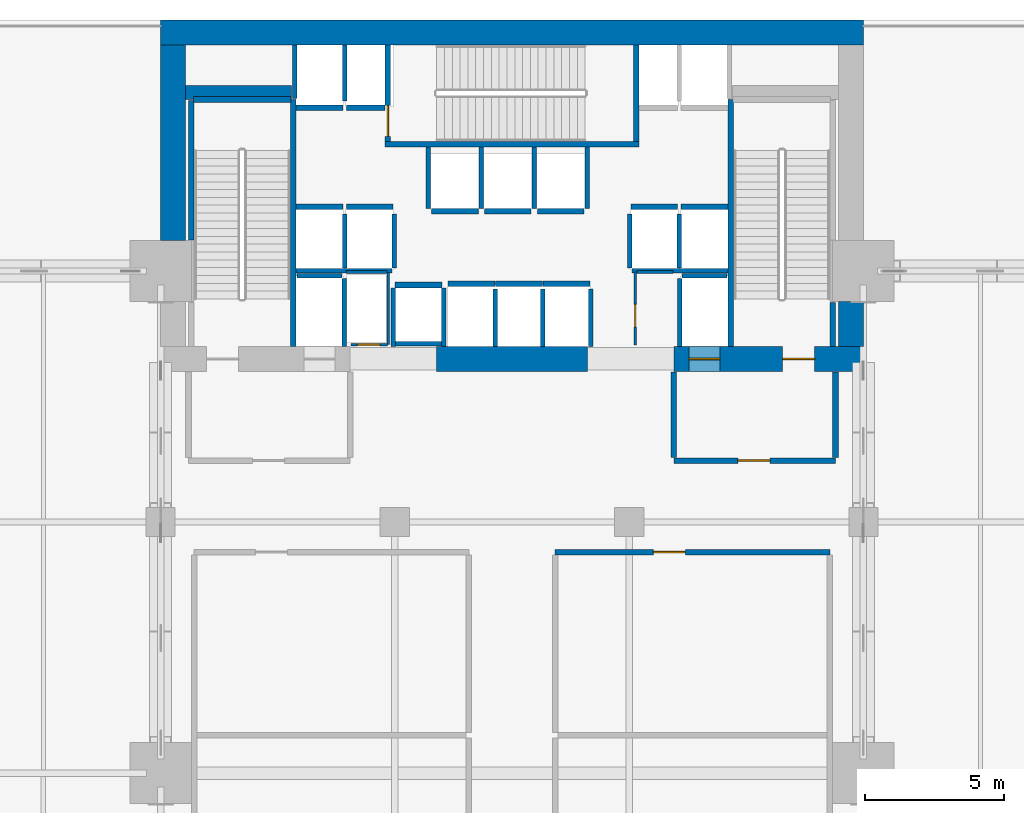
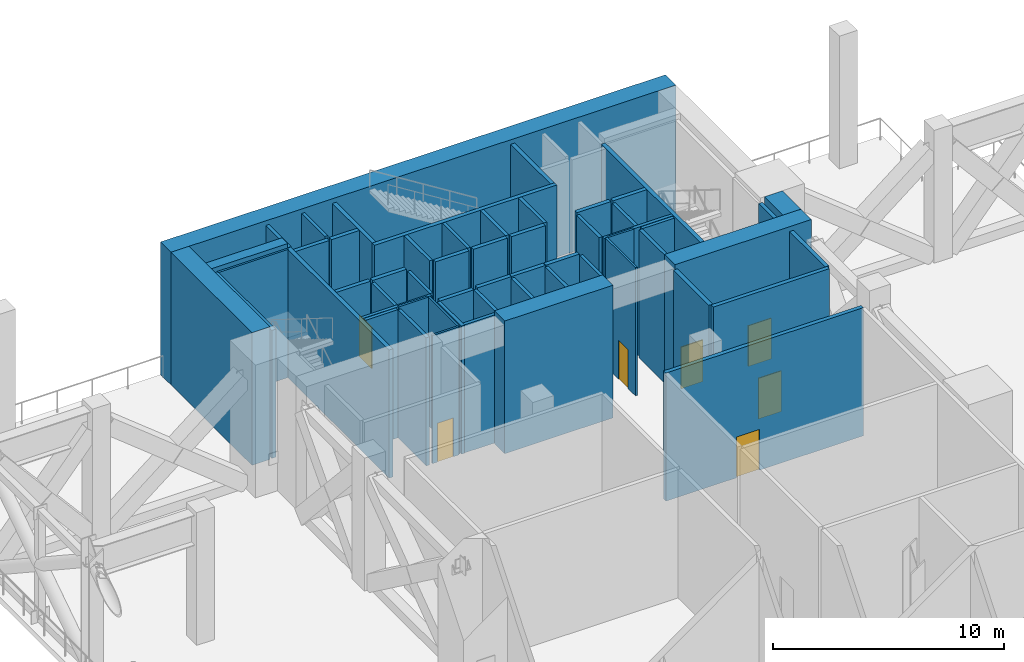
# One storey, part 12 of 16: 58 walls, 7 doors, 7 openings.
"""IFC4 building model written with IfcOpenShell, lengths in metres."""

from ifc_helpers import new_model, si_unit, direction, frame, frame_2d, origin, place, context, subcontext, project, spatial, rectangle, extrude, material, layer, layer_set, type_object, element, fill, save


model = new_model("IFC4")

# Units and contexts
model_context = context("Model", 3, precision=1e-05, world=origin(), true_north=direction((0.0, 1.0)))
body_context = subcontext(model_context, "Body", "Model", "MODEL_VIEW")
ifc_project = project(units=[si_unit("LENGTHUNIT", "METRE"), si_unit("AREAUNIT", "SQUARE_METRE"), si_unit("VOLUMEUNIT", "CUBIC_METRE"), si_unit("PLANEANGLEUNIT", "RADIAN"), si_unit("MASSUNIT", "GRAM", prefix="KILO")], contexts=[model_context])

# Site, building, storey
site_placement = place(None, origin())
site = spatial("IfcSite", under=ifc_project, at=site_placement, CompositionType="ELEMENT")
building_placement = place(site_placement, origin())
building = spatial("IfcBuilding", under=site, at=building_placement, Name="Maruvema Waterfront Hotel and Observation Tower", CompositionType="ELEMENT")
storey_placement = place(building_placement, frame((0.0, 0.0, 115.5)))
storey = spatial("IfcBuildingStorey", under=building, at=storey_placement, Name="L28", CompositionType="ELEMENT", Elevation=115.5)

# Walls
ifc_material_1 = material(Name="Precast concrete C45/55", Category="concrete")
ifc_layer_1 = layer(ifc_material_1, 0.199951171875, Name="Core Shaft and Stairwell Enclosure Wall 200 mm")
ifc_layer_set_1 = layer_set([ifc_layer_1], Name="Precast concrete C45/55")
wall_type_1 = type_object("IfcWallType", Name="Core Shaft and Stairwell Enclosure Wall 200 mm", PredefinedType="SOLIDWALL", material=ifc_layer_set_1)
wall_1_placement = place(storey_placement, frame((29.949951171875, 42.300048828125, 0.0), z_axis=(0.0, 0.0, 1.0), x_axis=(0.0, 1.0, 0.0)))
element("IfcWall", 1, at=wall_1_placement, inside=storey, type_object=wall_type_1, Name="L28 Stairwell ST-01 East Shaft Wall", PredefinedType="SOLIDWALL", context=body_context, shape_type="SweptSolid", body=[
    extrude(rectangle(XDim=8.849853515625, YDim=0.199951171875, at=frame_2d((4.4248046875, 0.0))), origin(), (0.0, 0.0, 1.0), 6.760009765625),
])
wall_2_placement = place(storey_placement, frame((26.300048828125, 46.1201171875, 0.0), z_axis=(0.0, 0.0, 1.0), x_axis=(0.0, 1.0, 0.0)))
element("IfcWall", 2, at=wall_2_placement, inside=storey, type_object=wall_type_1, Name="L28 Stairwell ST-01 Shaft Lining Wall", PredefinedType="SOLIDWALL", context=body_context, shape_type="SweptSolid", body=[
    extrude(rectangle(XDim=5.0, YDim=0.199951171875, at=frame_2d((2.5, 0.0))), origin(), (0.0, 0.0, 1.0), 6.760009765625),
])
wall_3_placement = place(storey_placement, frame((26.3798828125, 51.14990234375, 0.0), z_axis=(0.0, 0.0, 1.0), x_axis=(1.0, 0.0, 0.0)))
element("IfcWall", 3, at=wall_3_placement, inside=storey, type_object=wall_type_1, Name="L28 Stairwell ST-01 Shaft Lining Wall", PredefinedType="SOLIDWALL", context=body_context, shape_type="SweptSolid", body=[
    extrude(rectangle(XDim=3.5, YDim=0.199951171875, at=frame_2d((1.75, 0.0))), origin(), (0.0, 0.0, 1.0), 6.760009765625),
])
wall_4_placement = place(storey_placement, frame((33.25, 49.550048828125, 0.0), z_axis=(0.0, 0.0, 1.0), x_axis=(1.0, 0.0, 0.0)))
element("IfcWall", 4, at=wall_4_placement, inside=storey, type_object=wall_type_1, Name="L28 Stairwell ST-02 Shaft Wall", PredefinedType="SOLIDWALL", context=body_context, shape_type="SweptSolid", body=[
    extrude(rectangle(XDim=9.10009765625, YDim=0.199951171875, at=frame_2d((4.550048828125, 0.0))), origin(), (0.0, 0.0, 1.0), 6.760009765625),
])
wall_5_placement = place(storey_placement, frame((42.25, 49.64990234375, 0.0), z_axis=(0.0, 0.0, 1.0), x_axis=(0.0, 1.0, 0.0)))
element("IfcWall", 5, at=wall_5_placement, inside=storey, type_object=wall_type_1, Name="L28 Stairwell ST-02 Shaft Wall", PredefinedType="SOLIDWALL", context=body_context, shape_type="SweptSolid", body=[
    extrude(rectangle(XDim=3.4501953125, YDim=0.199951171875, at=frame_2d((1.72509765625, 0.0))), origin(), (0.0, 0.0, 1.0), 6.760009765625),
])

# Wall, opening, door
wall_6_placement = place(storey_placement, frame((33.35009765625, 49.64990234375, 0.0), z_axis=(0.0, 0.0, 1.0), x_axis=(0.0, 1.0, 0.0)))
wall_6 = element("IfcWall", 6, at=wall_6_placement, inside=storey, type_object=wall_type_1, Name="L28 Stairwell ST-02 Shaft Wall", PredefinedType="SOLIDWALL", context=body_context, shape_type="SweptSolid", body=[
    extrude(rectangle(XDim=3.4501953125, YDim=0.199951171875, at=frame_2d((1.72509765625, 0.0))), origin(), (0.0, 0.0, 1.0), 6.760009765625),
])
opening_1_placement = place(wall_6_placement, frame((0.179931640625, 0.0, 0.0)))
opening_1 = element("IfcOpeningElement", 7, at=opening_1_placement, cuts=wall_6, Name="Opening SD-02", PredefinedType="OPENING", context=body_context, shape_type="SweptSolid", body=[
    extrude(rectangle(XDim=1.10009765625, YDim=2.14990234375, at=frame_2d((0.550048828125, 1.074951171875))), frame((0.0, 0.10986328125, 0.0), z_axis=(0.0, -1.0, 0.0), x_axis=(1.0, 0.0, 0.0)), (0.0, 0.0, 1.0), 0.219970703125),
])
ifc_material_2 = material(Name="Fire-rated galvanised steel leaf", Category="steel")
door_type_1 = type_object("IfcDoorType", Name="Central Exit Stair Fire Door 1100x2150 mm", OperationType="NOTDEFINED", PredefinedType="DOOR", material=ifc_material_2)
door_1_placement = place(opening_1_placement, frame((1.10009765625, 0.0, 0.0), z_axis=(0.0, 0.0, 1.0), x_axis=(-1.0, 0.0, 0.0)))
door_1 = element("IfcDoor", 8, at=door_1_placement, inside=storey, type_object=door_type_1, Name="L28 Exit Stair ST-02 Fire Door", OperationType="SINGLE_SWING_LEFT", OverallHeight=2.14990234375, OverallWidth=1.10009765625, PredefinedType="DOOR", context=body_context, shape_type="SweptSolid", body=[
    extrude(rectangle(XDim=1.10009765625, YDim=2.14990234375, at=frame_2d((0.550048828125, 1.074951171875))), frame((0.0, 0.02490234375, 0.0), z_axis=(0.0, -1.0, 0.0), x_axis=(1.0, 0.0, 0.0)), (0.0, 0.0, 1.0), 0.050048828125),
])
fill(opening_1, door_1)

# Walls
wall_7_placement = place(storey_placement, frame((45.64990234375, 42.300048828125, 0.0), z_axis=(0.0, 0.0, 1.0), x_axis=(0.0, 1.0, 0.0)))
element("IfcWall", 9, at=wall_7_placement, inside=storey, type_object=wall_type_1, Name="L28 Stairwell ST-03 West Shaft Wall", PredefinedType="SOLIDWALL", context=body_context, shape_type="SweptSolid", body=[
    extrude(rectangle(XDim=8.849853515625, YDim=0.199951171875, at=frame_2d((4.4248046875, 0.0))), origin(), (0.0, 0.0, 1.0), 6.760009765625),
])
wall_8_placement = place(storey_placement, frame((49.300048828125, 42.300048828125, 0.0), z_axis=(0.0, 0.0, 1.0), x_axis=(0.0, 1.0, 0.0)))
element("IfcWall", 10, at=wall_8_placement, inside=storey, type_object=wall_type_1, Name="L28 Stairwell ST-03 Shaft Lining Wall", PredefinedType="SOLIDWALL", context=body_context, shape_type="SweptSolid", body=[
    extrude(rectangle(XDim=1.579833984375, YDim=0.199951171875, at=frame_2d((0.7900390625, 0.0))), origin(), (0.0, 0.0, 1.0), 6.760009765625),
])
for number, where, z_axis, x_axis, name in (
    (11, (30.06005859375, 47.300048828125, 0.0), (0.0, 0.0, 1.0), (1.0, 0.0, 0.0), "L28 Lift LF-01 Hoistway Front Wall"),
    (12, (31.860107421875, 47.300048828125, 0.0), (0.0, 0.0, 1.0), (1.0, 0.0, 0.0), "L28 Lift LF-02 Hoistway Front Wall"),
    (13, (30.06005859375, 50.85009765625, 0.0), (0.0, 0.0, 1.0), (1.0, 0.0, 0.0), "L28 Lift LF-03 Hoistway Front Wall"),
):
    element("IfcWall", number, at=place(storey_placement, frame(where, z_axis=z_axis, x_axis=x_axis)), inside=storey, type_object=wall_type_1, Name=name, PredefinedType="SOLIDWALL", context=body_context, shape_type="SweptSolid", body=[
        extrude(rectangle(XDim=1.679931640625, YDim=0.199951171875, at=frame_2d((0.83984375, 0.0))), origin(), (0.0, 0.0, 1.0), 6.760009765625),
    ])
wall_9_placement = place(storey_placement, frame((31.860107421875, 50.85009765625, 0.0), z_axis=(0.0, 0.0, 1.0), x_axis=(1.0, 0.0, 0.0)))
element("IfcWall", 14, at=wall_9_placement, inside=storey, type_object=wall_type_1, Name="L28 Lift LF-04 Hoistway Front Wall", PredefinedType="SOLIDWALL", context=body_context, shape_type="SweptSolid", body=[
    extrude(rectangle(XDim=1.3798828125, YDim=0.199951171875, at=frame_2d((0.68994140625, 0.0))), origin(), (0.0, 0.0, 1.0), 6.760009765625),
])
for number, where, z_axis, x_axis, name in (
    (15, (42.06005859375, 47.300048828125, 0.0), (0.0, 0.0, 1.0), (1.0, 0.0, 0.0), "L28 Lift LF-05 Hoistway Front Wall"),
    (16, (43.860107421875, 47.300048828125, 0.0), (0.0, 0.0, 1.0), (1.0, 0.0, 0.0), "L28 Lift LF-06 Hoistway Front Wall"),
    (17, (35.510009765625, 44.550048828125, 0.0), (0.0, 0.0, 1.0), (1.0, 0.0, 0.0), "L28 Lift LF-09 Hoistway Front Wall"),
    (18, (37.2099609375, 44.550048828125, 0.0), (0.0, 0.0, 1.0), (1.0, 0.0, 0.0), "L28 Lift LF-10 Hoistway Front Wall"),
):
    element("IfcWall", number, at=place(storey_placement, frame(where, z_axis=z_axis, x_axis=x_axis)), inside=storey, type_object=wall_type_1, Name=name, PredefinedType="SOLIDWALL", context=body_context, shape_type="SweptSolid", body=[
        extrude(rectangle(XDim=1.679931640625, YDim=0.199951171875, at=frame_2d((0.83984375, 0.0))), origin(), (0.0, 0.0, 1.0), 6.760009765625),
    ])
for number, where, z_axis, x_axis, name in (
    (19, (38.909912109375, 44.550048828125, 0.0), (0.0, 0.0, 1.0), (1.0, 0.0, 0.0), "L28 Lift LF-11 Hoistway Front Wall"),
    (20, (34.909912109375, 47.14990234375, 0.0), (0.0, 0.0, 1.0), (1.0, 0.0, 0.0), "L28 Lift LF-12 Hoistway Front Wall"),
):
    element("IfcWall", number, at=place(storey_placement, frame(where, z_axis=z_axis, x_axis=x_axis)), inside=storey, type_object=wall_type_1, Name=name, PredefinedType="SOLIDWALL", context=body_context, shape_type="SweptSolid", body=[
        extrude(rectangle(XDim=1.68017578125, YDim=0.199951171875, at=frame_2d((0.840087890625, 0.0))), origin(), (0.0, 0.0, 1.0), 6.760009765625),
    ])
for number, where, z_axis, x_axis, name in (
    (21, (36.81005859375, 47.14990234375, 0.0), (0.0, 0.0, 1.0), (1.0, 0.0, 0.0), "L28 Lift LF-13 Hoistway Front Wall"),
    (22, (38.7099609375, 47.14990234375, 0.0), (0.0, 0.0, 1.0), (1.0, 0.0, 0.0), "L28 Lift LF-14 Hoistway Front Wall"),
    (23, (33.610107421875, 44.5, 0.0), (0.0, 0.0, 1.0), (1.0, 0.0, 0.0), "L28 Lift LF-15 Hoistway Front Wall"),
):
    element("IfcWall", number, at=place(storey_placement, frame(where, z_axis=z_axis, x_axis=x_axis)), inside=storey, type_object=wall_type_1, Name=name, PredefinedType="SOLIDWALL", context=body_context, shape_type="SweptSolid", body=[
        extrude(rectangle(XDim=1.679931640625, YDim=0.199951171875, at=frame_2d((0.83984375, 0.0))), origin(), (0.0, 0.0, 1.0), 6.760009765625),
    ])
ifc_material_3 = material(Name="Concrete C70/85", Category="concrete")
ifc_layer_2 = layer(ifc_material_3, 0.5, Name="Core Shear Wall 500 mm")
ifc_layer_set_2 = layer_set([ifc_layer_2], Name="Concrete C70/85")
wall_type_2 = type_object("IfcWallType", Name="Core Shear Wall 500 mm", PredefinedType="SHEAR", material=ifc_layer_set_2)
wall_10_placement = place(storey_placement, frame((26.10009765625, 51.39990234375, 0.0), z_axis=(0.0, 0.0, 1.0), x_axis=(1.0, 0.0, 0.0)))
element("IfcWall", 24, at=wall_10_placement, inside=storey, type_object=wall_type_2, Name="L28 Internal Core Shear Wall NW 500 mm", PredefinedType="SHEAR", context=body_context, shape_type="SweptSolid", body=[
    extrude(rectangle(XDim=3.7998046875, YDim=0.5, at=frame_2d((1.89990234375, 0.0))), origin(), (0.0, 0.0, 1.0), 7.0),
])
ifc_material_4 = material(Name="Concrete C80/95", Category="concrete")
ifc_layer_3 = layer(ifc_material_4, 0.89990234375, Name="Core Shear Wall 900 mm")
ifc_layer_set_3 = layer_set([ifc_layer_3], Name="Concrete C80/95")
wall_type_3 = type_object("IfcWallType", Name="Core Shear Wall 900 mm", PredefinedType="SHEAR", material=ifc_layer_set_3)
wall_11_placement = place(storey_placement, frame((25.199951171875, 53.550048828125, 0.0), z_axis=(0.0, 0.0, 1.0), x_axis=(1.0, 0.0, 0.0)))
element("IfcWall", 25, at=wall_11_placement, inside=storey, type_object=wall_type_3, Name="L28 North Core Shear Wall", PredefinedType="SHEAR", context=body_context, shape_type="SweptSolid", body=[
    extrude(rectangle(XDim=25.199951171875, YDim=0.89990234375, at=frame_2d((12.60009765625, 0.0))), origin(), (0.0, 0.0, 1.0), 7.0),
])
wall_12_placement = place(storey_placement, frame((35.10009765625, 41.85009765625, 0.0), z_axis=(0.0, 0.0, 1.0), x_axis=(1.0, 0.0, 0.0)))
element("IfcWall", 26, at=wall_12_placement, inside=storey, type_object=wall_type_3, Name="L28 South-Central Core Shear Wall", PredefinedType="SHEAR", context=body_context, shape_type="SweptSolid", body=[
    extrude(rectangle(XDim=5.39990234375, YDim=0.89990234375, at=frame_2d((2.699951171875, 0.0))), origin(), (0.0, 0.0, 1.0), 7.0),
])

# Wall, openings, doors
wall_13_placement = place(storey_placement, frame((43.60009765625, 41.85009765625, 0.0), z_axis=(0.0, 0.0, 1.0), x_axis=(1.0, 0.0, 0.0)))
wall_13 = element("IfcWall", 27, at=wall_13_placement, inside=storey, type_object=wall_type_3, Name="L28 South-East Core Shear Wall", PredefinedType="SHEAR", context=body_context, shape_type="SweptSolid", body=[
    extrude(rectangle(XDim=6.7998046875, YDim=0.89990234375, at=frame_2d((3.39990234375, 0.0))), origin(), (0.0, 0.0, 1.0), 7.0),
])
opening_2_placement = place(wall_13_placement, frame((3.89990234375, 0.0, 0.0)))
opening_2 = element("IfcOpeningElement", 28, at=opening_2_placement, cuts=wall_13, Name="Opening SD-01", PredefinedType="OPENING", context=body_context, shape_type="SweptSolid", body=[
    extrude(rectangle(XDim=1.14990234375, YDim=2.14990234375, at=frame_2d((0.574951171875, 1.074951171875))), frame((0.0, 0.4599609375, 0.0), z_axis=(0.0, -1.0, 0.0), x_axis=(1.0, 0.0, 0.0)), (0.0, 0.0, 1.0), 0.919921875),
])
opening_3_placement = place(wall_13_placement, frame((0.550048828125, 0.0, 0.0)))
opening_3 = element("IfcOpeningElement", 29, at=opening_3_placement, cuts=wall_13, Name="Opening LD-03", PredefinedType="OPENING", context=body_context, shape_type="SweptSolid", body=[
    extrude(rectangle(XDim=1.10009765625, YDim=2.199951171875, at=frame_2d((0.550048828125, 1.10009765625))), frame((0.0, 0.4599609375, 0.0), z_axis=(0.0, -1.0, 0.0), x_axis=(1.0, 0.0, 0.0)), (0.0, 0.0, 1.0), 0.919921875),
])
ifc_material_5 = material(Name="Fire-rated galvanised steel leaf", Category="steel")
door_type_2 = type_object("IfcDoorType", Name="Exit Stair Fire Door 1150x2150 mm", OperationType="NOTDEFINED", PredefinedType="DOOR", material=ifc_material_5)
door_2_placement = place(opening_2_placement, origin())
door_2 = element("IfcDoor", 30, at=door_2_placement, inside=storey, type_object=door_type_2, Name="L28 Exit Stair ST-03 Fire Door", OperationType="SINGLE_SWING_RIGHT", OverallHeight=2.14990234375, OverallWidth=1.14990234375, PredefinedType="DOOR", context=body_context, shape_type="SweptSolid", body=[
    extrude(rectangle(XDim=1.14990234375, YDim=2.14990234375, at=frame_2d((0.574951171875, 1.074951171875))), frame((0.0, 0.02490234375, 0.0), z_axis=(0.0, -1.0, 0.0), x_axis=(1.0, 0.0, 0.0)), (0.0, 0.0, 1.0), 0.050048828125),
])
fill(opening_2, door_2)
ifc_material_6 = material(Name="Brushed stainless steel Grade 316", Category="steel")
door_type_3 = type_object("IfcDoorType", Name="Firefighting Lift Sliding Landing Door 1100x2200 mm", OperationType="SLIDING_TO_LEFT", PredefinedType="DOOR", material=ifc_material_6)
door_3_placement = place(opening_3_placement, frame((1.10009765625, 0.0, 0.0), z_axis=(0.0, 0.0, 1.0), x_axis=(-1.0, 0.0, 0.0)))
door_3 = element("IfcDoor", 31, at=door_3_placement, inside=storey, type_object=door_type_3, Name="L28 Firefighting Lift FL-02 Landing Door", OperationType="SLIDING_TO_LEFT", OverallHeight=2.199951171875, OverallWidth=1.10009765625, PredefinedType="DOOR", context=body_context, shape_type="SweptSolid", body=[
    extrude(rectangle(XDim=1.10009765625, YDim=2.199951171875, at=frame_2d((0.550048828125, 1.10009765625))), frame((0.0, 0.02490234375, 0.0), z_axis=(0.0, -1.0, 0.0), x_axis=(1.0, 0.0, 0.0)), (0.0, 0.0, 1.0), 0.050048828125),
])
fill(opening_3, door_3)

# Walls
wall_14_placement = place(storey_placement, frame((25.64990234375, 46.10009765625, 0.0), z_axis=(0.0, 0.0, 1.0), x_axis=(0.0, 1.0, 0.0)))
element("IfcWall", 32, at=wall_14_placement, inside=storey, type_object=wall_type_3, Name="L28 West-North Core Shear Wall", PredefinedType="SHEAR", context=body_context, shape_type="SweptSolid", body=[
    extrude(rectangle(XDim=7.0, YDim=0.89990234375, at=frame_2d((3.5, 0.0))), origin(), (0.0, 0.0, 1.0), 7.0),
])
wall_15_placement = place(storey_placement, frame((49.949951171875, 42.300048828125, 0.0), z_axis=(0.0, 0.0, 1.0), x_axis=(0.0, 1.0, 0.0)))
element("IfcWall", 33, at=wall_15_placement, inside=storey, type_object=wall_type_3, Name="L28 East-South Core Shear Wall", PredefinedType="SHEAR", context=body_context, shape_type="SweptSolid", body=[
    extrude(rectangle(XDim=1.599853515625, YDim=0.89990234375, at=frame_2d((0.7998046875, 0.0))), origin(), (0.0, 0.0, 1.0), 7.0),
])

# Wall, opening, door
ifc_material_7 = material(Name="Moisture-resistant cement-board drywall", Category="gypsum")
ifc_layer_4 = layer(ifc_material_7, 0.10009765625, Name="En-Suite Moisture-Resistant Partition 100 mm")
ifc_layer_set_4 = layer_set([ifc_layer_4], Name="Moisture-resistant cement-board drywall")
wall_type_4 = type_object("IfcWallType", Name="En-Suite Moisture-Resistant Partition 100 mm", PredefinedType="PARTITIONING", material=ifc_layer_set_4)
wall_16_placement = place(storey_placement, frame((32.02001953125, 42.360107421875, 0.0), z_axis=(0.0, 0.0, 1.0), x_axis=(1.0, 0.0, 0.0)))
wall_16 = element("IfcWall", 34, at=wall_16_placement, inside=storey, type_object=wall_type_4, Name="L28 Telecom Riser South Wall 007", PredefinedType="PARTITIONING", context=body_context, shape_type="SweptSolid", body=[
    extrude(rectangle(XDim=1.320068359375, YDim=0.10009765625, at=frame_2d((0.66015625, 0.0))), origin(), (0.0, 0.0, 1.0), 6.760009765625),
])
opening_4_placement = place(wall_16_placement, frame((0.239990234375, 0.0, 0.0)))
opening_4 = element("IfcOpeningElement", 35, at=opening_4_placement, cuts=wall_16, Name="Opening DR-080", PredefinedType="OPENING", context=body_context, shape_type="SweptSolid", body=[
    extrude(rectangle(XDim=0.800048828125, YDim=2.050048828125, at=frame_2d((0.39990234375, 1.02490234375))), frame((0.0, 0.06005859375, 0.0), z_axis=(0.0, -1.0, 0.0), x_axis=(1.0, 0.0, 0.0)), (0.0, 0.0, 1.0), 0.1201171875),
])
ifc_material_8 = material(Name="Powder-coated steel access leaf", Category="steel")
door_type_4 = type_object("IfcDoorType", Name="Riser and Service Cupboard Door 800x2050 mm", OperationType="NOTDEFINED", PredefinedType="DOOR", material=ifc_material_8)
door_4_placement = place(opening_4_placement, frame((0.800048828125, 0.0, 0.0), z_axis=(0.0, 0.0, 1.0), x_axis=(-1.0, 0.0, 0.0)))
door_4 = element("IfcDoor", 36, at=door_4_placement, inside=storey, type_object=door_type_4, Name="L28 Telecom Riser Door", OperationType="SINGLE_SWING_RIGHT", OverallHeight=2.050048828125, OverallWidth=0.800048828125, PredefinedType="DOOR", context=body_context, shape_type="SweptSolid", body=[
    extrude(rectangle(XDim=0.800048828125, YDim=2.050048828125, at=frame_2d((0.39990234375, 1.02490234375))), frame((0.0, 0.02490234375, 0.0), z_axis=(0.0, -1.0, 0.0), x_axis=(1.0, 0.0, 0.0)), (0.0, 0.0, 1.0), 0.050048828125),
])
fill(opening_4, door_4)

# Walls
wall_17_placement = place(storey_placement, frame((31.840087890625, 44.9599609375, 0.0), z_axis=(0.0, 0.0, 1.0), x_axis=(1.0, 0.0, 0.0)))
element("IfcWall", 37, at=wall_17_placement, inside=storey, type_object=wall_type_4, Name="L28 Telecom Riser North Wall 008", PredefinedType="PARTITIONING", context=body_context, shape_type="SweptSolid", body=[
    extrude(rectangle(XDim=1.47998046875, YDim=0.10009765625, at=frame_2d((0.739990234375, 0.0))), origin(), (0.0, 0.0, 1.0), 6.760009765625),
])
wall_18_placement = place(storey_placement, frame((33.360107421875, 42.360107421875, 0.0), z_axis=(0.0, 0.0, 1.0), x_axis=(0.0, 1.0, 0.0)))
element("IfcWall", 38, at=wall_18_placement, inside=storey, type_object=wall_type_4, Name="L28 Telecom Riser East Wall 009", PredefinedType="PARTITIONING", context=body_context, shape_type="SweptSolid", body=[
    extrude(rectangle(XDim=2.579833984375, YDim=0.10009765625, at=frame_2d((1.2900390625, 0.0))), origin(), (0.0, 0.0, 1.0), 6.760009765625),
])

# Wall, opening, door
wall_19_placement = place(storey_placement, frame((42.219970703125, 42.35009765625, 0.0), z_axis=(0.0, 0.0, 1.0), x_axis=(0.0, 1.0, 0.0)))
wall_19 = element("IfcWall", 39, at=wall_19_placement, inside=storey, type_object=wall_type_4, Name="L28 Core Closet K1 West 010", PredefinedType="PARTITIONING", context=body_context, shape_type="SweptSolid", body=[
    extrude(rectangle(XDim=2.60986328125, YDim=0.10009765625, at=frame_2d((1.304931640625, 0.0))), origin(), (0.0, 0.0, 1.0), 6.760009765625),
])
opening_5_placement = place(wall_19_placement, frame((0.64990234375, 0.0, 0.0)))
opening_5 = element("IfcOpeningElement", 40, at=opening_5_placement, cuts=wall_19, Name="Opening DR-080", PredefinedType="OPENING", context=body_context, shape_type="SweptSolid", body=[
    extrude(rectangle(XDim=0.800048828125, YDim=2.050048828125, at=frame_2d((0.39990234375, 1.02490234375))), frame((0.0, 0.06005859375, 0.0), z_axis=(0.0, -1.0, 0.0), x_axis=(1.0, 0.0, 0.0)), (0.0, 0.0, 1.0), 0.1201171875),
])
door_5_placement = place(opening_5_placement, frame((0.800048828125, 0.0, 0.0), z_axis=(0.0, 0.0, 1.0), x_axis=(-1.0, 0.0, 0.0)))
door_5 = element("IfcDoor", 41, at=door_5_placement, inside=storey, type_object=door_type_4, Name="L28 Plant Meter Closet Door", OperationType="SINGLE_SWING_LEFT", OverallHeight=2.050048828125, OverallWidth=0.800048828125, PredefinedType="DOOR", context=body_context, shape_type="SweptSolid", body=[
    extrude(rectangle(XDim=0.800048828125, YDim=2.050048828125, at=frame_2d((0.39990234375, 1.02490234375))), frame((0.0, 0.02490234375, 0.0), z_axis=(0.0, -1.0, 0.0), x_axis=(1.0, 0.0, 0.0)), (0.0, 0.0, 1.0), 0.050048828125),
])
fill(opening_5, door_5)

# Wall
wall_20_placement = place(storey_placement, frame((42.280029296875, 44.9599609375, 0.0), z_axis=(0.0, 0.0, 1.0), x_axis=(1.0, 0.0, 0.0)))
element("IfcWall", 42, at=wall_20_placement, inside=storey, type_object=wall_type_4, Name="L28 Core Closet K1 North 011", PredefinedType="PARTITIONING", context=body_context, shape_type="SweptSolid", body=[
    extrude(rectangle(XDim=1.300048828125, YDim=0.10009765625, at=frame_2d((0.64990234375, 0.0))), origin(), (0.0, 0.0, 1.0), 6.760009765625),
])

# Wall, opening, door
ifc_material_9 = material(Name="Autoclaved cellular concrete blockwork", Category="masonry")
ifc_layer_5 = layer(ifc_material_9, 0.199951171875, Name="Fire Compartment Masonry Wall 200 mm")
ifc_layer_set_5 = layer_set([ifc_layer_5], Name="Autoclaved cellular concrete blockwork")
wall_type_5 = type_object("IfcWallType", Name="Fire Compartment Masonry Wall 200 mm", PredefinedType="PARTITIONING", material=ifc_layer_set_5)
wall_21_placement = place(storey_placement, frame((43.60009765625, 38.199951171875, 0.0), z_axis=(0.0, 0.0, 1.0), x_axis=(1.0, 0.0, 0.0)))
wall_21 = element("IfcWall", 43, at=wall_21_placement, inside=storey, type_object=wall_type_5, Name="L28 FFL East South Wall 004", PredefinedType="PARTITIONING", context=body_context, shape_type="SweptSolid", body=[
    extrude(rectangle(XDim=5.7998046875, YDim=0.199951171875, at=frame_2d((2.89990234375, 0.0))), origin(), (0.0, 0.0, 1.0), 6.760009765625),
])
opening_6_placement = place(wall_21_placement, frame((2.300048828125, 0.0, 0.0)))
opening_6 = element("IfcOpeningElement", 44, at=opening_6_placement, cuts=wall_21, Name="Opening FD-115", PredefinedType="OPENING", context=body_context, shape_type="SweptSolid", body=[
    extrude(rectangle(XDim=1.14990234375, YDim=2.14990234375, at=frame_2d((0.574951171875, 1.074951171875))), frame((0.0, 0.10986328125, 0.0), z_axis=(0.0, -1.0, 0.0), x_axis=(1.0, 0.0, 0.0)), (0.0, 0.0, 1.0), 0.219970703125),
])
ifc_material_10 = material(Name="Fire-rated galvanised steel and vision glass", Category="steel")
door_type_5 = type_object("IfcDoorType", Name="Firefighting Lobby Fire Door 1150x2150 mm", OperationType="NOTDEFINED", PredefinedType="DOOR", material=ifc_material_10)
door_6_placement = place(opening_6_placement, frame((1.14990234375, 0.0, 0.0), z_axis=(0.0, 0.0, 1.0), x_axis=(-1.0, 0.0, 0.0)))
door_6 = element("IfcDoor", 45, at=door_6_placement, inside=storey, type_object=door_type_5, Name="L28 Firefighting Lobby East Door", OperationType="SINGLE_SWING_LEFT", OverallHeight=2.14990234375, OverallWidth=1.14990234375, PredefinedType="DOOR", context=body_context, shape_type="SweptSolid", body=[
    extrude(rectangle(XDim=1.14990234375, YDim=2.14990234375, at=frame_2d((0.574951171875, 1.074951171875))), frame((0.0, 0.02490234375, 0.0), z_axis=(0.0, -1.0, 0.0), x_axis=(1.0, 0.0, 0.0)), (0.0, 0.0, 1.0), 0.050048828125),
])
fill(opening_6, door_6)

# Walls
for number, where, z_axis, x_axis, name in (
    (46, (43.60009765625, 38.31005859375, 0.0), (0.0, 0.0, 1.0), (0.0, 1.0, 0.0), "L28 FFL East West Wall 005"),
    (47, (49.39990234375, 38.31005859375, 0.0), (0.0, 0.0, 1.0), (0.0, 1.0, 0.0), "L28 FFL East East Wall 006"),
):
    element("IfcWall", number, at=place(storey_placement, frame(where, z_axis=z_axis, x_axis=x_axis)), inside=storey, type_object=wall_type_5, Name=name, PredefinedType="PARTITIONING", context=body_context, shape_type="SweptSolid", body=[
        extrude(rectangle(XDim=3.06982421875, YDim=0.199951171875, at=frame_2d((1.534912109375, 0.0))), origin(), (0.0, 0.0, 1.0), 6.760009765625),
    ])

# Wall, opening, door
wall_22_placement = place(storey_placement, frame((39.35009765625, 34.919921875, 0.0), z_axis=(0.0, 0.0, 1.0), x_axis=(1.0, 0.0, 0.0)))
wall_22 = element("IfcWall", 48, at=wall_22_placement, inside=storey, type_object=wall_type_5, Name="L28 L28 East N Wall 024", PredefinedType="PARTITIONING", context=body_context, shape_type="SweptSolid", body=[
    extrude(rectangle(XDim=9.849853515625, YDim=0.199951171875, at=frame_2d((4.9248046875, 0.0))), origin(), (0.0, 0.0, 1.0), 6.760009765625),
])
opening_7_placement = place(wall_22_placement, frame((3.52001953125, 0.0, 0.0)))
opening_7 = element("IfcOpeningElement", 49, at=opening_7_placement, cuts=wall_22, Name="Opening FD-115", PredefinedType="OPENING", context=body_context, shape_type="SweptSolid", body=[
    extrude(rectangle(XDim=1.14990234375, YDim=2.14990234375, at=frame_2d((0.574951171875, 1.074951171875))), frame((0.0, 0.10986328125, 0.0), z_axis=(0.0, -1.0, 0.0), x_axis=(1.0, 0.0, 0.0)), (0.0, 0.0, 1.0), 0.219970703125),
])
door_7_placement = place(opening_7_placement, origin())
door_7 = element("IfcDoor", 50, at=door_7_placement, inside=storey, type_object=door_type_5, Name="L28 Refuge Area North-East Door", OperationType="SINGLE_SWING_RIGHT", OverallHeight=2.14990234375, OverallWidth=1.14990234375, PredefinedType="DOOR", context=body_context, shape_type="SweptSolid", body=[
    extrude(rectangle(XDim=1.14990234375, YDim=2.14990234375, at=frame_2d((0.574951171875, 1.074951171875))), frame((0.0, 0.02490234375, 0.0), z_axis=(0.0, -1.0, 0.0), x_axis=(1.0, 0.0, 0.0)), (0.0, 0.0, 1.0), 0.050048828125),
])
fill(opening_7, door_7)

# Walls
ifc_material_11 = material(Name="Precast concrete C45/55", Category="concrete")
ifc_layer_6 = layer(ifc_material_11, 0.159912109375, Name="Lift Hoistway Divider Wall 160 mm")
ifc_layer_set_6 = layer_set([ifc_layer_6], Name="Precast concrete C45/55")
wall_type_6 = type_object("IfcWallType", Name="Lift Hoistway Divider Wall 160 mm", PredefinedType="SOLIDWALL", material=ifc_layer_set_6)
wall_23_placement = place(storey_placement, frame((30.10009765625, 44.830078125, 0.0), z_axis=(0.0, 0.0, 1.0), x_axis=(1.0, 0.0, 0.0)))
element("IfcWall", 51, at=wall_23_placement, inside=storey, type_object=wall_type_6, Name="L28 Lift FL-01 Rear Hoistway Wall", PredefinedType="SOLIDWALL", context=body_context, shape_type="SweptSolid", body=[
    extrude(rectangle(XDim=1.599853515625, YDim=0.159912109375, at=frame_2d((0.7998046875, 0.0))), origin(), (0.0, 0.0, 1.0), 6.760009765625),
])
wall_24_placement = place(storey_placement, frame((31.780029296875, 42.300048828125, 0.0), z_axis=(0.0, 0.0, 1.0), x_axis=(0.0, 1.0, 0.0)))
element("IfcWall", 52, at=wall_24_placement, inside=storey, type_object=wall_type_6, Name="L28 Lift FL-01 Inner Hoistway Wall", PredefinedType="SOLIDWALL", context=body_context, shape_type="SweptSolid", body=[
    extrude(rectangle(XDim=2.43994140625, YDim=0.159912109375, at=frame_2d((1.219970703125, 0.0))), origin(), (0.0, 0.0, 1.0), 6.760009765625),
])
wall_25_placement = place(storey_placement, frame((43.89990234375, 44.830078125, 0.0), z_axis=(0.0, 0.0, 1.0), x_axis=(1.0, 0.0, 0.0)))
element("IfcWall", 53, at=wall_25_placement, inside=storey, type_object=wall_type_6, Name="L28 Lift FL-02 Rear Hoistway Wall", PredefinedType="SOLIDWALL", context=body_context, shape_type="SweptSolid", body=[
    extrude(rectangle(XDim=1.60009765625, YDim=0.159912109375, at=frame_2d((0.800048828125, 0.0))), origin(), (0.0, 0.0, 1.0), 6.760009765625),
])
wall_26_placement = place(storey_placement, frame((43.820068359375, 42.300048828125, 0.0), z_axis=(0.0, 0.0, 1.0), x_axis=(0.0, 1.0, 0.0)))
element("IfcWall", 54, at=wall_26_placement, inside=storey, type_object=wall_type_6, Name="L28 Lift FL-02 Inner Hoistway Wall", PredefinedType="SOLIDWALL", context=body_context, shape_type="SweptSolid", body=[
    extrude(rectangle(XDim=2.43994140625, YDim=0.159912109375, at=frame_2d((1.219970703125, 0.0))), origin(), (0.0, 0.0, 1.0), 6.760009765625),
])
for number, where, z_axis, x_axis, name in (
    (55, (31.800048828125, 45.10009765625, 0.0), (0.0, 0.0, 1.0), (0.0, 1.0, 0.0), "L28 Hoistway Divider Wall"),
    (56, (33.580078125, 45.10009765625, 0.0), (0.0, 0.0, 1.0), (0.0, 1.0, 0.0), "L28 Hoistway Divider Wall"),
):
    element("IfcWall", number, at=place(storey_placement, frame(where, z_axis=z_axis, x_axis=x_axis)), inside=storey, type_object=wall_type_6, Name=name, PredefinedType="SOLIDWALL", context=body_context, shape_type="SweptSolid", body=[
        extrude(rectangle(XDim=1.949951171875, YDim=0.159912109375, at=frame_2d((0.97509765625, 0.0))), origin(), (0.0, 0.0, 1.0), 6.760009765625),
    ])
wall_27_placement = place(storey_placement, frame((30.050048828125, 45.010009765625, 0.0), z_axis=(0.0, 0.0, 1.0), x_axis=(1.0, 0.0, 0.0)))
element("IfcWall", 57, at=wall_27_placement, inside=storey, type_object=wall_type_6, Name="L28 Hoistway Divider Wall", PredefinedType="SOLIDWALL", context=body_context, shape_type="SweptSolid", body=[
    extrude(rectangle(XDim=3.449951171875, YDim=0.159912109375, at=frame_2d((1.72509765625, 0.0))), origin(), (0.0, 0.0, 1.0), 6.760009765625),
])
wall_28_placement = place(storey_placement, frame((30.010009765625, 51.179931640625, 0.0), z_axis=(0.0, 0.0, 1.0), x_axis=(0.0, 1.0, 0.0)))
element("IfcWall", 58, at=wall_28_placement, inside=storey, type_object=wall_type_6, Name="L28 Hoistway Divider Wall", PredefinedType="SOLIDWALL", context=body_context, shape_type="SweptSolid", body=[
    extrude(rectangle(XDim=1.920166015625, YDim=0.159912109375, at=frame_2d((0.9599609375, 0.0))), origin(), (0.0, 0.0, 1.0), 6.760009765625),
])
wall_29_placement = place(storey_placement, frame((31.800048828125, 51.10009765625, 0.0), z_axis=(0.0, 0.0, 1.0), x_axis=(0.0, 1.0, 0.0)))
element("IfcWall", 59, at=wall_29_placement, inside=storey, type_object=wall_type_6, Name="L28 Hoistway Divider Wall", PredefinedType="SOLIDWALL", context=body_context, shape_type="SweptSolid", body=[
    extrude(rectangle(XDim=2.0, YDim=0.159912109375, at=frame_2d((1.0, 0.0))), origin(), (0.0, 0.0, 1.0), 6.760009765625),
])
for number, where, z_axis, x_axis, name in (
    (60, (42.02001953125, 45.10009765625, 0.0), (0.0, 0.0, 1.0), (0.0, 1.0, 0.0), "L28 Hoistway Divider Wall"),
    (61, (43.800048828125, 45.10009765625, 0.0), (0.0, 0.0, 1.0), (0.0, 1.0, 0.0), "L28 Hoistway Divider Wall"),
):
    element("IfcWall", number, at=place(storey_placement, frame(where, z_axis=z_axis, x_axis=x_axis)), inside=storey, type_object=wall_type_6, Name=name, PredefinedType="SOLIDWALL", context=body_context, shape_type="SweptSolid", body=[
        extrude(rectangle(XDim=1.949951171875, YDim=0.159912109375, at=frame_2d((0.97509765625, 0.0))), origin(), (0.0, 0.0, 1.0), 6.760009765625),
    ])
wall_30_placement = place(storey_placement, frame((42.10009765625, 45.010009765625, 0.0), z_axis=(0.0, 0.0, 1.0), x_axis=(1.0, 0.0, 0.0)))
element("IfcWall", 62, at=wall_30_placement, inside=storey, type_object=wall_type_6, Name="L28 Hoistway Divider Wall", PredefinedType="SOLIDWALL", context=body_context, shape_type="SweptSolid", body=[
    extrude(rectangle(XDim=3.449951171875, YDim=0.159912109375, at=frame_2d((1.72509765625, 0.0))), origin(), (0.0, 0.0, 1.0), 6.760009765625),
])
for number, where, z_axis, x_axis, name in (
    (63, (37.199951171875, 42.300048828125, 0.0), (0.0, 0.0, 1.0), (0.0, 1.0, 0.0), "L28 Hoistway Divider Wall"),
    (64, (38.89990234375, 42.300048828125, 0.0), (0.0, 0.0, 1.0), (0.0, 1.0, 0.0), "L28 Hoistway Divider Wall"),
    (65, (40.6201171875, 42.300048828125, 0.0), (0.0, 0.0, 1.0), (0.0, 1.0, 0.0), "L28 Hoistway Divider Wall"),
):
    element("IfcWall", number, at=place(storey_placement, frame(where, z_axis=z_axis, x_axis=x_axis)), inside=storey, type_object=wall_type_6, Name=name, PredefinedType="SOLIDWALL", context=body_context, shape_type="SweptSolid", body=[
        extrude(rectangle(XDim=2.050048828125, YDim=0.159912109375, at=frame_2d((1.02490234375, 0.0))), origin(), (0.0, 0.0, 1.0), 6.760009765625),
    ])
for number, where, z_axis, x_axis, name in (
    (66, (34.800048828125, 47.25, 0.0), (0.0, 0.0, 1.0), (0.0, 1.0, 0.0), "L28 Hoistway Divider Wall"),
    (67, (36.699951171875, 47.25, 0.0), (0.0, 0.0, 1.0), (0.0, 1.0, 0.0), "L28 Hoistway Divider Wall"),
    (68, (38.60009765625, 47.25, 0.0), (0.0, 0.0, 1.0), (0.0, 1.0, 0.0), "L28 Hoistway Divider Wall"),
    (69, (40.5, 47.25, 0.0), (0.0, 0.0, 1.0), (0.0, 1.0, 0.0), "L28 Hoistway Divider Wall"),
):
    element("IfcWall", number, at=place(storey_placement, frame(where, z_axis=z_axis, x_axis=x_axis)), inside=storey, type_object=wall_type_6, Name=name, PredefinedType="SOLIDWALL", context=body_context, shape_type="SweptSolid", body=[
        extrude(rectangle(XDim=2.18994140625, YDim=0.159912109375, at=frame_2d((1.094970703125, 0.0))), origin(), (0.0, 0.0, 1.0), 6.760009765625),
    ])
for number, where, z_axis, x_axis, name in (
    (70, (33.5400390625, 42.300048828125, 0.0), (0.0, 0.0, 1.0), (0.0, 1.0, 0.0), "L28 Hoistway Divider Wall"),
    (71, (35.360107421875, 42.300048828125, 0.0), (0.0, 0.0, 1.0), (0.0, 1.0, 0.0), "L28 Hoistway Divider Wall"),
):
    element("IfcWall", number, at=place(storey_placement, frame(where, z_axis=z_axis, x_axis=x_axis)), inside=storey, type_object=wall_type_6, Name=name, PredefinedType="SOLIDWALL", context=body_context, shape_type="SweptSolid", body=[
        extrude(rectangle(XDim=2.099853515625, YDim=0.159912109375, at=frame_2d((1.0498046875, 0.0))), origin(), (0.0, 0.0, 1.0), 6.760009765625),
    ])
wall_31_placement = place(storey_placement, frame((33.6201171875, 42.39990234375, 0.0), z_axis=(0.0, 0.0, 1.0), x_axis=(1.0, 0.0, 0.0)))
element("IfcWall", 72, at=wall_31_placement, inside=storey, type_object=wall_type_6, Name="L28 Hoistway Divider Wall", PredefinedType="SOLIDWALL", context=body_context, shape_type="SweptSolid", body=[
    extrude(rectangle(XDim=1.659912109375, YDim=0.159912109375, at=frame_2d((0.830078125, 0.0))), origin(), (0.0, 0.0, 1.0), 6.760009765625),
])

save(model, "model.ifc")
